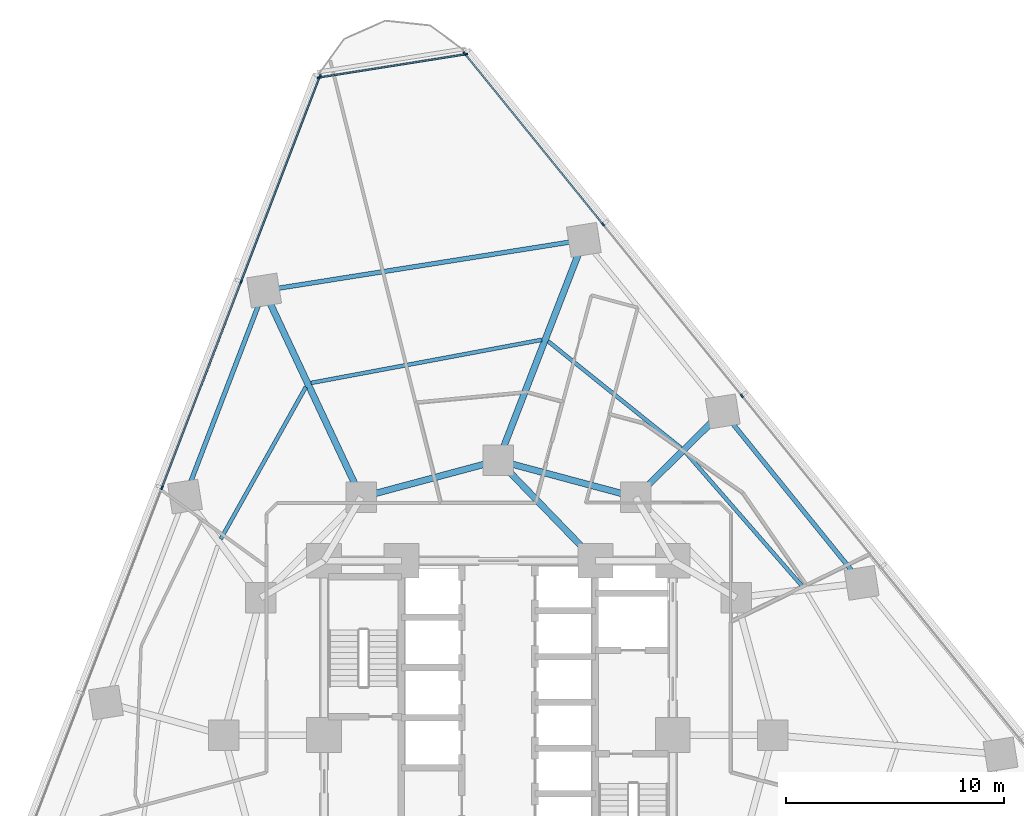
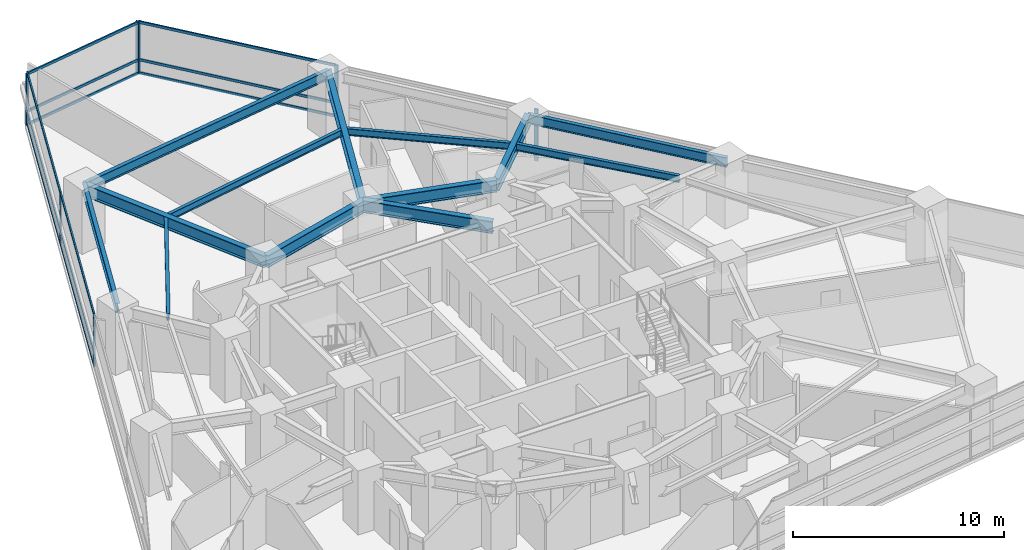
# One storey, part 5 of 14: 20 members, 13 beams, 3 elements without a shape of their own.
"""IFC4 building model written with IfcOpenShell, lengths in metres."""

from ifc_helpers import new_model, si_unit, direction, frame, origin, origin_2d, place, context, subcontext, project, spatial, rectangle, i_section, extrude, material, layer, layer_set, material_profile, profile_set, type_object, element, aggregate, save


model = new_model("IFC4")

# Units and contexts
model_context = context("Model", 3, precision=1e-05, world=origin(), true_north=direction((0.0, 1.0)))
body_context = subcontext(model_context, "Body", "Model", "MODEL_VIEW")
ifc_project = project(units=[si_unit("LENGTHUNIT", "METRE"), si_unit("AREAUNIT", "SQUARE_METRE"), si_unit("VOLUMEUNIT", "CUBIC_METRE"), si_unit("PLANEANGLEUNIT", "RADIAN"), si_unit("MASSUNIT", "GRAM", prefix="KILO")], contexts=[model_context])

# Site, building, storey
site_placement = place(None, origin())
site = spatial("IfcSite", under=ifc_project, at=site_placement, CompositionType="ELEMENT")
building_placement = place(site_placement, origin())
building = spatial("IfcBuilding", under=site, at=building_placement, Name="Terralouvre Media Tower", CompositionType="ELEMENT")
storey_placement = place(building_placement, frame((0.0, 0.0, 74.10009765625)))
storey = spatial("IfcBuildingStorey", under=building, at=storey_placement, Name="L18", CompositionType="ELEMENT", Elevation=74.10009765625)

# Beams
ifc_material_1 = material(Name="Structural steel S355J2", Category="steel")
ifc_material_profile_1 = material_profile(ifc_material_1, i_section(OverallWidth=0.179931640625, OverallDepth=0.39990234375, WebThickness=0.008544921875, FlangeThickness=0.013427734375, at=origin_2d()), Name="IPE 400")
ifc_profile_set_1 = profile_set([ifc_material_profile_1], Name="Structural steel S355J2")
beam_type_1 = type_object("IfcBeamType", Name="Composite Floor Joist J-IPE400 (IPE 400)", PredefinedType="JOIST", material=ifc_profile_set_1)
beam_1_placement = place(storey_placement, frame((13.96044921875, 6.810791015625, 3.2998046875), z_axis=(-0.656991876482, 0.753897655014, 0.0), x_axis=(-0.753897655014, -0.656991876482, 0.0)))
element("IfcBeam", 1, at=beam_1_placement, inside=storey, type_object=beam_type_1, Name="L18 Framing Beam JT-L18-07", PredefinedType="JOIST", context=body_context, shape_type="SweptSolid", body=[
    extrude(i_section(OverallWidth=0.179931640625, OverallDepth=0.39990234375, WebThickness=0.008544921875, FlangeThickness=0.013427734375, at=origin_2d()), origin(), (0.0, 0.0, 1.0), 8.165283203125),
])
beam_2_placement = place(storey_placement, frame((8.380615234375, 13.173583984375, 3.2998046875), z_axis=(-0.779905972593, 0.62589669588, 0.0), x_axis=(-0.62589669588, -0.779905972593, 0.0)))
element("IfcBeam", 2, at=beam_2_placement, inside=storey, type_object=beam_type_1, Name="L18 Framing Beam JT-L18-08", PredefinedType="JOIST", context=body_context, shape_type="SweptSolid", body=[
    extrude(i_section(OverallWidth=0.179931640625, OverallDepth=0.39990234375, WebThickness=0.008544921875, FlangeThickness=0.013427734375, at=origin_2d()), origin(), (0.0, 0.0, 1.0), 7.82470703125),
])
beam_3_placement = place(storey_placement, frame((1.985595703125, 18.13623046875, 3.2998046875), z_axis=(-0.982984181952, -0.183690223017, 0.0), x_axis=(0.183690223017, -0.982984181952, 0.0)))
element("IfcBeam", 3, at=beam_3_placement, inside=storey, type_object=beam_type_1, Name="L18 Framing Beam JT-L18-09", PredefinedType="JOIST", context=body_context, shape_type="SweptSolid", body=[
    extrude(i_section(OverallWidth=0.179931640625, OverallDepth=0.39990234375, WebThickness=0.008544921875, FlangeThickness=0.013427734375, at=origin_2d()), origin(), (0.0, 0.0, 1.0), 10.766845703125),
])
beam_4_placement = place(storey_placement, frame((-8.837646484375, 15.97119140625, 3.2998046875), z_axis=(-0.488342920388, -0.87265181608, 0.0), x_axis=(0.87265181608, -0.488342920388, 0.0)))
element("IfcBeam", 4, at=beam_4_placement, inside=storey, type_object=beam_type_1, Name="L18 Framing Beam JT-L18-10", PredefinedType="JOIST", context=body_context, shape_type="SweptSolid", body=[
    extrude(i_section(OverallWidth=0.179931640625, OverallDepth=0.39990234375, WebThickness=0.008544921875, FlangeThickness=0.013427734375, at=origin_2d()), origin(), (0.0, 0.0, 1.0), 7.992919921875),
])

# Curtain wall, members
ifc_material_2 = material(Name="Low-iron laminated double glazing with solar-control coating", Category="glass")
ifc_layer_1 = layer(ifc_material_2, 0.1650390625, Name="Lower Media Tower Unitised Curtain Wall CW-02")
ifc_layer_set_1 = layer_set([ifc_layer_1], Name="Low-iron laminated double glazing with solar-control coating")
curtain_wall_type_1 = type_object("IfcCurtainWallType", Name="Lower Media Tower Unitised Curtain Wall CW-02", PredefinedType="NOTDEFINED", material=ifc_layer_set_1)
curtain_wall_1_placement = place(storey_placement, origin())
curtain_wall_1 = element("IfcCurtainWall", 5, at=curtain_wall_1_placement, inside=storey, type_object=curtain_wall_type_1, Name="L18 Facade Curtain Wall F1", PredefinedType="NOTDEFINED")
ifc_material_3 = material(Name="Anodised extruded aluminium 6063-T6", Category="aluminium")
ifc_material_profile_2 = material_profile(ifc_material_3, rectangle(XDim=0.074951171875, YDim=0.14990234375, at=origin_2d()), Name="ALU 75x150")
ifc_profile_set_2 = profile_set([ifc_material_profile_2], Name="Anodised extruded aluminium 6063-T6")
member_type_1 = type_object("IfcMemberType", Name="Curtain-Wall Horizontal Transom TR-150", PredefinedType="USERDEFINED", material=ifc_profile_set_2)
member_1_placement = place(storey_placement, frame((4.7763671875, 23.46435546875, 0.037353515625), z_axis=(-0.629312521445, 0.777152334071, 0.0), x_axis=(-0.777152334071, -0.629312521445, 0.0)))
member_1 = element("IfcMember", 6, at=member_1_placement, type_object=member_type_1, Name="CW-02 transom 5.1", ObjectType="TRANSOM", PredefinedType="USERDEFINED", context=body_context, shape_type="SweptSolid", body=[
    extrude(rectangle(XDim=0.074951171875, YDim=0.14990234375, at=origin_2d()), origin(), (0.0, 0.0, 1.0), 10.015625),
])
member_2_placement = place(storey_placement, frame((4.7763671875, 23.46435546875, 0.7998046875), z_axis=(-0.629312521445, 0.777152334071, 0.0), x_axis=(-0.777152334071, -0.629312521445, 0.0)))
member_2 = element("IfcMember", 7, at=member_2_placement, type_object=member_type_1, Name="CW-02 transom 5.2", ObjectType="TRANSOM", PredefinedType="USERDEFINED", context=body_context, shape_type="SweptSolid", body=[
    extrude(rectangle(XDim=0.074951171875, YDim=0.14990234375, at=origin_2d()), origin(), (0.0, 0.0, 1.0), 10.015625),
])
member_3_placement = place(storey_placement, frame((4.7763671875, 23.46435546875, 2.96240234375), z_axis=(-0.629312521445, 0.777152334071, 0.0), x_axis=(-0.777152334071, -0.629312521445, 0.0)))
member_3 = element("IfcMember", 8, at=member_3_placement, type_object=member_type_1, Name="CW-02 transom 5.3", ObjectType="TRANSOM", PredefinedType="USERDEFINED", context=body_context, shape_type="SweptSolid", body=[
    extrude(rectangle(XDim=0.074951171875, YDim=0.14990234375, at=origin_2d()), origin(), (0.0, 0.0, 1.0), 10.015625),
])

curtain_wall_2_placement = place(storey_placement, origin())
curtain_wall_2 = element("IfcCurtainWall", 9, at=curtain_wall_2_placement, inside=storey, type_object=curtain_wall_type_1, Name="L18 Facade Curtain Wall F2", PredefinedType="NOTDEFINED")
member_4_placement = place(storey_placement, frame((-8.2041015625, 30.1904296875, 0.037353515625), z_axis=(-0.358376263354, -0.933577235083, 0.0), x_axis=(0.933577235083, -0.358376263354, 0.0)))
member_4 = element("IfcMember", 10, at=member_4_placement, type_object=member_type_1, Name="CW-02 transom 1.1", ObjectType="TRANSOM", PredefinedType="USERDEFINED", context=body_context, shape_type="SweptSolid", body=[
    extrude(rectangle(XDim=0.074951171875, YDim=0.14990234375, at=origin_2d()), origin(), (0.0, 0.0, 1.0), 10.015625),
])
member_5_placement = place(storey_placement, frame((-8.2041015625, 30.1904296875, 0.7998046875), z_axis=(-0.358376263354, -0.933577235083, 0.0), x_axis=(0.933577235083, -0.358376263354, 0.0)))
member_5 = element("IfcMember", 11, at=member_5_placement, type_object=member_type_1, Name="CW-02 transom 1.2", ObjectType="TRANSOM", PredefinedType="USERDEFINED", context=body_context, shape_type="SweptSolid", body=[
    extrude(rectangle(XDim=0.074951171875, YDim=0.14990234375, at=origin_2d()), origin(), (0.0, 0.0, 1.0), 10.015625),
])
member_6_placement = place(storey_placement, frame((-8.2041015625, 30.1904296875, 2.96240234375), z_axis=(-0.358376263354, -0.933577235083, 0.0), x_axis=(0.933577235083, -0.358376263354, 0.0)))
member_6 = element("IfcMember", 12, at=member_6_placement, type_object=member_type_1, Name="CW-02 transom 1.3", ObjectType="TRANSOM", PredefinedType="USERDEFINED", context=body_context, shape_type="SweptSolid", body=[
    extrude(rectangle(XDim=0.074951171875, YDim=0.14990234375, at=origin_2d()), origin(), (0.0, 0.0, 1.0), 10.015625),
])
member_7_placement = place(storey_placement, frame((-11.8203125, 20.77001953125, 0.037353515625), z_axis=(-0.358357340084, -0.933584499019, 0.0), x_axis=(0.933584499019, -0.358357340084, 0.0)))
member_7 = element("IfcMember", 13, at=member_7_placement, type_object=member_type_1, Name="CW-02 transom 2.1", ObjectType="TRANSOM", PredefinedType="USERDEFINED", context=body_context, shape_type="SweptSolid", body=[
    extrude(rectangle(XDim=0.074951171875, YDim=0.14990234375, at=origin_2d()), origin(), (0.0, 0.0, 1.0), 10.052978515625),
])
member_8_placement = place(storey_placement, frame((-11.8203125, 20.77001953125, 0.7998046875), z_axis=(-0.358357340084, -0.933584499019, 0.0), x_axis=(0.933584499019, -0.358357340084, 0.0)))
member_8 = element("IfcMember", 14, at=member_8_placement, type_object=member_type_1, Name="CW-02 transom 2.2", ObjectType="TRANSOM", PredefinedType="USERDEFINED", context=body_context, shape_type="SweptSolid", body=[
    extrude(rectangle(XDim=0.074951171875, YDim=0.14990234375, at=origin_2d()), origin(), (0.0, 0.0, 1.0), 10.052978515625),
])
member_9_placement = place(storey_placement, frame((-11.8203125, 20.77001953125, 2.96240234375), z_axis=(-0.358357340084, -0.933584499019, 0.0), x_axis=(0.933584499019, -0.358357340084, 0.0)))
member_9 = element("IfcMember", 15, at=member_9_placement, type_object=member_type_1, Name="CW-02 transom 2.3", ObjectType="TRANSOM", PredefinedType="USERDEFINED", context=body_context, shape_type="SweptSolid", body=[
    extrude(rectangle(XDim=0.074951171875, YDim=0.14990234375, at=origin_2d()), origin(), (0.0, 0.0, 1.0), 10.052978515625),
])

ifc_material_4 = material(Name="Low-iron laminated double glazing with solar-control coating", Category="glass")
ifc_layer_2 = layer(ifc_material_4, 0.1650390625, Name="Rounded Wind-Corner Curved Glazing CW-04")
ifc_layer_set_2 = layer_set([ifc_layer_2], Name="Low-iron laminated double glazing with solar-control coating")
curtain_wall_type_2 = type_object("IfcCurtainWallType", Name="Rounded Wind-Corner Curved Glazing CW-04", PredefinedType="NOTDEFINED", material=ifc_layer_set_2)
curtain_wall_3_placement = place(storey_placement, origin())
curtain_wall_3 = element("IfcCurtainWall", 16, at=curtain_wall_3_placement, inside=storey, type_object=curtain_wall_type_2, Name="L18 Rounded Wind-Corner Curtain Wall C2", PredefinedType="NOTDEFINED")
member_10_placement = place(storey_placement, frame((-1.53271484375, 31.231689453125, 0.037353515625), z_axis=(-0.987688588398, -0.156432900464, 0.0), x_axis=(0.156432900464, -0.987688588398, 0.0)))
member_10 = element("IfcMember", 17, at=member_10_placement, type_object=member_type_1, Name="CW-04 transom 1.1", ObjectType="TRANSOM", PredefinedType="USERDEFINED", context=body_context, shape_type="SweptSolid", body=[
    extrude(rectangle(XDim=0.074951171875, YDim=0.14990234375, at=origin_2d()), origin(), (0.0, 0.0, 1.0), 6.74365234375),
])
member_11_placement = place(storey_placement, frame((-1.53271484375, 31.231689453125, 0.7998046875), z_axis=(-0.987688588398, -0.156432900464, 0.0), x_axis=(0.156432900464, -0.987688588398, 0.0)))
member_11 = element("IfcMember", 18, at=member_11_placement, type_object=member_type_1, Name="CW-04 transom 1.2", ObjectType="TRANSOM", PredefinedType="USERDEFINED", context=body_context, shape_type="SweptSolid", body=[
    extrude(rectangle(XDim=0.074951171875, YDim=0.14990234375, at=origin_2d()), origin(), (0.0, 0.0, 1.0), 6.74365234375),
])
member_12_placement = place(storey_placement, frame((-1.53271484375, 31.231689453125, 2.96240234375), z_axis=(-0.987688588398, -0.156432900464, 0.0), x_axis=(0.156432900464, -0.987688588398, 0.0)))
member_12 = element("IfcMember", 19, at=member_12_placement, type_object=member_type_1, Name="CW-04 transom 1.3", ObjectType="TRANSOM", PredefinedType="USERDEFINED", context=body_context, shape_type="SweptSolid", body=[
    extrude(rectangle(XDim=0.074951171875, YDim=0.14990234375, at=origin_2d()), origin(), (0.0, 0.0, 1.0), 6.74365234375),
])

# Member
ifc_material_5 = material(Name="Anodised extruded aluminium 6063-T6", Category="aluminium")
ifc_material_profile_3 = material_profile(ifc_material_5, rectangle(XDim=0.074951171875, YDim=0.179931640625, at=origin_2d()), Name="ALU 75x180")
ifc_profile_set_3 = profile_set([ifc_material_profile_3], Name="Anodised extruded aluminium 6063-T6")
member_type_2 = type_object("IfcMemberType", Name="Curtain-Wall Vertical Mullion ML-180", PredefinedType="MULLION", material=ifc_profile_set_3)
member_13_placement = place(storey_placement, frame((11.173583984375, 15.564453125, 0.0), z_axis=(0.0, 0.0, 1.0), x_axis=(-0.777145994276, -0.629320350521, 0.0)))
member_13 = element("IfcMember", 20, at=member_13_placement, type_object=member_type_2, Name="CW-02 mullion 4", PredefinedType="MULLION", context=body_context, shape_type="SweptSolid", body=[
    extrude(rectangle(XDim=0.074951171875, YDim=0.179931640625, at=origin_2d()), origin(), (0.0, 0.0, 1.0), 3.0),
])

member_14_placement = place(storey_placement, frame((4.7998046875, 23.435302734375, 0.0), z_axis=(0.0, 0.0, 1.0), x_axis=(-0.777145994276, -0.629320350521, 0.0)))
member_14 = element("IfcMember", 21, at=member_14_placement, type_object=member_type_2, Name="CW-02 mullion 5", PredefinedType="MULLION", context=body_context, shape_type="SweptSolid", body=[
    extrude(rectangle(XDim=0.074951171875, YDim=0.179931640625, at=origin_2d()), origin(), (0.0, 0.0, 1.0), 3.0),
])

member_15_placement = place(storey_placement, frame((-1.55029296875, 31.277099609375, 0.0), z_axis=(0.0, 0.0, 1.0), x_axis=(-0.777145994276, -0.629320350521, 0.0)))
member_15 = element("IfcMember", 22, at=member_15_placement, type_object=member_type_2, Name="CW-02 mullion 6", PredefinedType="MULLION", context=body_context, shape_type="SweptSolid", body=[
    extrude(rectangle(XDim=0.074951171875, YDim=0.179931640625, at=origin_2d()), origin(), (0.0, 0.0, 1.0), 3.0),
])

aggregate(curtain_wall_1, [member_13, member_14, member_15, member_1, member_2, member_3])

member_16_placement = place(storey_placement, frame((-8.190673828125, 30.225341796875, 0.0), z_axis=(0.0, 0.0, 1.0), x_axis=(0.933580438988, -0.358367917006, 0.0)))
member_16 = element("IfcMember", 23, at=member_16_placement, type_object=member_type_2, Name="CW-02 mullion 1", PredefinedType="MULLION", context=body_context, shape_type="SweptSolid", body=[
    extrude(rectangle(XDim=0.074951171875, YDim=0.179931640625, at=origin_2d()), origin(), (0.0, 0.0, 1.0), 3.0),
])

member_17_placement = place(storey_placement, frame((-11.806884765625, 20.80517578125, 0.0), z_axis=(0.0, 0.0, 1.0), x_axis=(0.933580438988, -0.358367917006, 0.0)))
member_17 = element("IfcMember", 24, at=member_17_placement, type_object=member_type_2, Name="CW-02 mullion 2", PredefinedType="MULLION", context=body_context, shape_type="SweptSolid", body=[
    extrude(rectangle(XDim=0.074951171875, YDim=0.179931640625, at=origin_2d()), origin(), (0.0, 0.0, 1.0), 3.0),
])

member_18_placement = place(storey_placement, frame((-15.436279296875, 11.349853515625, 0.0), z_axis=(0.0, 0.0, 1.0), x_axis=(0.933580438988, -0.358367917006, 0.0)))
member_18 = element("IfcMember", 25, at=member_18_placement, type_object=member_type_2, Name="CW-02 mullion 3", PredefinedType="MULLION", context=body_context, shape_type="SweptSolid", body=[
    extrude(rectangle(XDim=0.074951171875, YDim=0.179931640625, at=origin_2d()), origin(), (0.0, 0.0, 1.0), 3.0),
])

aggregate(curtain_wall_2, [member_16, member_17, member_18, member_4, member_5, member_6, member_7, member_8, member_9])

member_19_placement = place(storey_placement, frame((-1.495849609375, 31.237548828125, 0.0), z_axis=(0.0, 0.0, 1.0), x_axis=(0.156434386502, -0.987688353034, 0.0)))
member_19 = element("IfcMember", 26, at=member_19_placement, type_object=member_type_2, Name="CW-04 mullion 1", PredefinedType="MULLION", context=body_context, shape_type="SweptSolid", body=[
    extrude(rectangle(XDim=0.074951171875, YDim=0.179931640625, at=origin_2d()), origin(), (0.0, 0.0, 1.0), 3.0),
])

member_20_placement = place(storey_placement, frame((-8.23046875, 30.1708984375, 0.0), z_axis=(0.0, 0.0, 1.0), x_axis=(0.156434386502, -0.987688353034, 0.0)))
member_20 = element("IfcMember", 27, at=member_20_placement, type_object=member_type_2, Name="CW-04 mullion 2", PredefinedType="MULLION", context=body_context, shape_type="SweptSolid", body=[
    extrude(rectangle(XDim=0.074951171875, YDim=0.179931640625, at=origin_2d()), origin(), (0.0, 0.0, 1.0), 3.0),
])

aggregate(curtain_wall_3, [member_19, member_20, member_10, member_11, member_12])

# Beams
ifc_material_6 = material(Name="Structural steel S355J2", Category="steel")
ifc_material_profile_4 = material_profile(ifc_material_6, i_section(OverallWidth=0.2099609375, OverallDepth=0.550048828125, WebThickness=0.010986328125, FlangeThickness=0.01708984375, at=origin_2d()), Name="IPE 550")
ifc_profile_set_4 = profile_set([ifc_material_profile_4], Name="Structural steel S355J2")
beam_type_2 = type_object("IfcBeamType", Name="Perimeter Spandrel Beam SPB-550 (IPE 550)", PredefinedType="SPANDREL", material=ifc_profile_set_4)
beam_5_placement = place(storey_placement, frame((16.669189453125, 6.982421875, 3.21484375), z_axis=(-0.629325814949, 0.777141569239, 0.0), x_axis=(-0.777141569239, -0.629325814949, 0.0)))
element("IfcBeam", 28, at=beam_5_placement, inside=storey, type_object=beam_type_2, Name="L18 Framing Beam BM-L18-PR07", PredefinedType="SPANDREL", context=body_context, shape_type="SweptSolid", body=[
    extrude(i_section(OverallWidth=0.2099609375, OverallDepth=0.550048828125, WebThickness=0.010986328125, FlangeThickness=0.01708984375, at=origin_2d()), origin(), (0.0, 0.0, 1.0), 10.1279296875),
])
beam_6_placement = place(storey_placement, frame((3.921630859375, 22.72412109375, 3.224853515625), z_axis=(-0.98768930547, -0.156428372939, 0.0), x_axis=(0.156428372939, -0.98768930547, 0.0)))
element("IfcBeam", 29, at=beam_6_placement, inside=storey, type_object=beam_type_2, Name="L18 Framing Beam BM-L18-PR09", PredefinedType="SPANDREL", context=body_context, shape_type="SweptSolid", body=[
    extrude(i_section(OverallWidth=0.2099609375, OverallDepth=0.550048828125, WebThickness=0.010986328125, FlangeThickness=0.01708984375, at=origin_2d()), origin(), (0.0, 0.0, 1.0), 14.8564453125),
])
beam_7_placement = place(storey_placement, frame((-10.751953125, 20.400146484375, 3.224853515625), z_axis=(-0.358353868481, -0.933585831589, 0.0), x_axis=(0.933585831589, -0.358353868481, 0.0)))
element("IfcBeam", 30, at=beam_7_placement, inside=storey, type_object=beam_type_2, Name="L18 Framing Beam BM-L18-PR10", PredefinedType="SPANDREL", context=body_context, shape_type="SweptSolid", body=[
    extrude(i_section(OverallWidth=0.2099609375, OverallDepth=0.550048828125, WebThickness=0.010986328125, FlangeThickness=0.01708984375, at=origin_2d()), origin(), (0.0, 0.0, 1.0), 10.1279296875),
])
ifc_material_7 = material(Name="Structural steel S460M", Category="steel")
ifc_material_profile_5 = material_profile(ifc_material_7, i_section(OverallWidth=0.300048828125, OverallDepth=0.699951171875, WebThickness=0.01708984375, FlangeThickness=0.031982421875, at=origin_2d()), Name="HEB 700")
ifc_profile_set_5 = profile_set([ifc_material_profile_5], Name="Structural steel S460M")
beam_type_3 = type_object("IfcBeamType", Name="Primary Floor Girder B-HEB700 (HEB 700)", PredefinedType="BEAM", material=ifc_profile_set_5)
for number, where, z_axis, x_axis, name in (
    (31, (6.300048828125, 10.911865234375, 3.14990234375), (-0.965920481897, 0.258838989821, 0.0), (-0.258838989821, -0.965920481897, 0.0), "L18 Framing Beam BM-L18-MR08"),
    (32, (0.0, 12.60009765625, 3.14990234375), (-0.965920481897, -0.258838989821, 0.0), (0.258838989821, -0.965920481897, 0.0), "L18 Framing Beam BM-L18-MR09"),
):
    element("IfcBeam", number, at=place(storey_placement, frame(where, z_axis=z_axis, x_axis=x_axis)), inside=storey, type_object=beam_type_3, Name=name, PredefinedType="BEAM", context=body_context, shape_type="SweptSolid", body=[
        extrude(i_section(OverallWidth=0.300048828125, OverallDepth=0.699951171875, WebThickness=0.01708984375, FlangeThickness=0.031982421875, at=origin_2d()), origin(), (0.0, 0.0, 1.0), 6.522216796875),
    ])
beam_8_placement = place(storey_placement, frame((4.449951171875, 8.0, 3.14990234375), z_axis=(-0.695279715726, 0.718739255155, 0.0), x_axis=(-0.718739255155, -0.695279715726, 0.0)))
element("IfcBeam", 33, at=beam_8_placement, inside=storey, type_object=beam_type_3, Name="L18 Framing Beam BM-L18-CM09", PredefinedType="BEAM", context=body_context, shape_type="SweptSolid", body=[
    extrude(i_section(OverallWidth=0.300048828125, OverallDepth=0.699951171875, WebThickness=0.01708984375, FlangeThickness=0.031982421875, at=origin_2d()), origin(), (0.0, 0.0, 1.0), 6.400146484375),
])
beam_9_placement = place(storey_placement, frame((6.300048828125, 10.911865234375, 3.139892578125), z_axis=(0.711897326367, 0.702283558623, 0.0), x_axis=(-0.702283558623, 0.711897326367, 0.0)))
element("IfcBeam", 34, at=beam_9_placement, inside=storey, type_object=beam_type_3, Name="L18 Framing Beam BM-L18-RD08", PredefinedType="BEAM", context=body_context, shape_type="SweptSolid", body=[
    extrude(i_section(OverallWidth=0.300048828125, OverallDepth=0.699951171875, WebThickness=0.01708984375, FlangeThickness=0.031982421875, at=origin_2d()), origin(), (0.0, 0.0, 1.0), 5.6123046875),
])
beam_10_placement = place(storey_placement, frame((0.0, 12.60009765625, 3.14990234375), z_axis=(0.361206690819, 0.93248577818, 0.0), x_axis=(-0.93248577818, 0.361206690819, 0.0)))
element("IfcBeam", 35, at=beam_10_placement, inside=storey, type_object=beam_type_3, Name="L18 Framing Beam BM-L18-RD09", PredefinedType="BEAM", context=body_context, shape_type="SweptSolid", body=[
    extrude(i_section(OverallWidth=0.300048828125, OverallDepth=0.699951171875, WebThickness=0.01708984375, FlangeThickness=0.031982421875, at=origin_2d()), origin(), (0.0, 0.0, 1.0), 10.85693359375),
])
beam_11_placement = place(storey_placement, frame((-6.300048828125, 10.911865234375, 3.14990234375), z_axis=(-0.42476805902, 0.905302212544, 0.0), x_axis=(-0.905302212544, -0.42476805902, 0.0)))
element("IfcBeam", 36, at=beam_11_placement, inside=storey, type_object=beam_type_3, Name="L18 Framing Beam BM-L18-RD10", PredefinedType="BEAM", context=body_context, shape_type="SweptSolid", body=[
    extrude(i_section(OverallWidth=0.300048828125, OverallDepth=0.699951171875, WebThickness=0.01708984375, FlangeThickness=0.031982421875, at=origin_2d()), origin(), (0.0, 0.0, 1.0), 10.480712890625),
])

save(model, "model.ifc")
